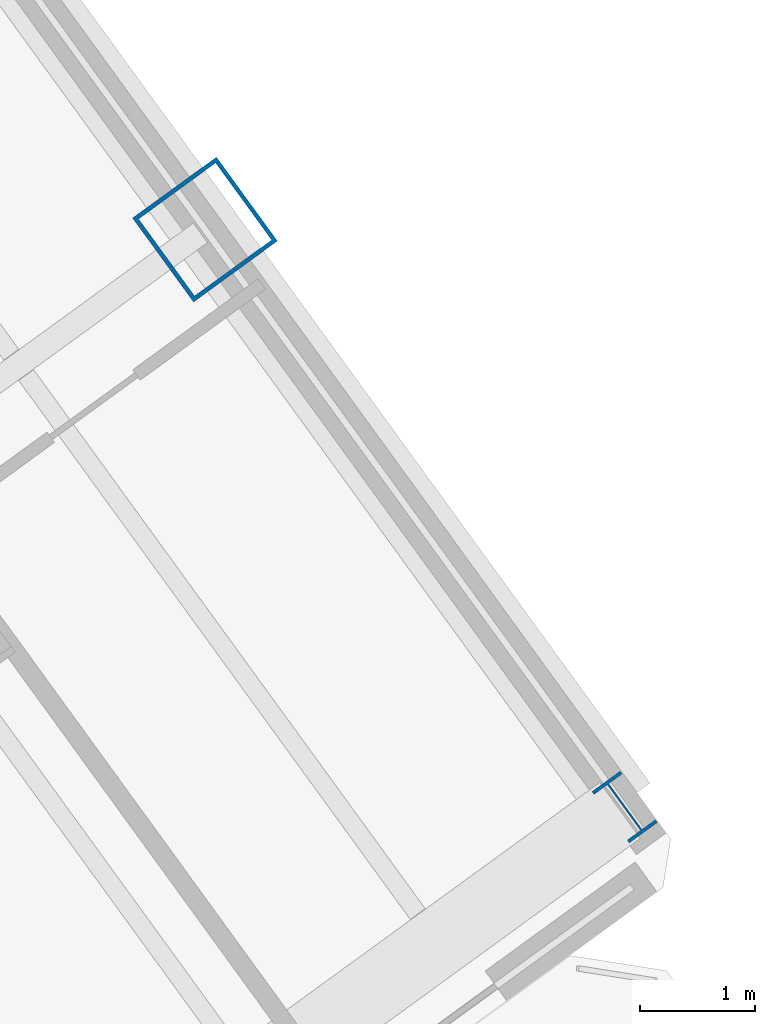
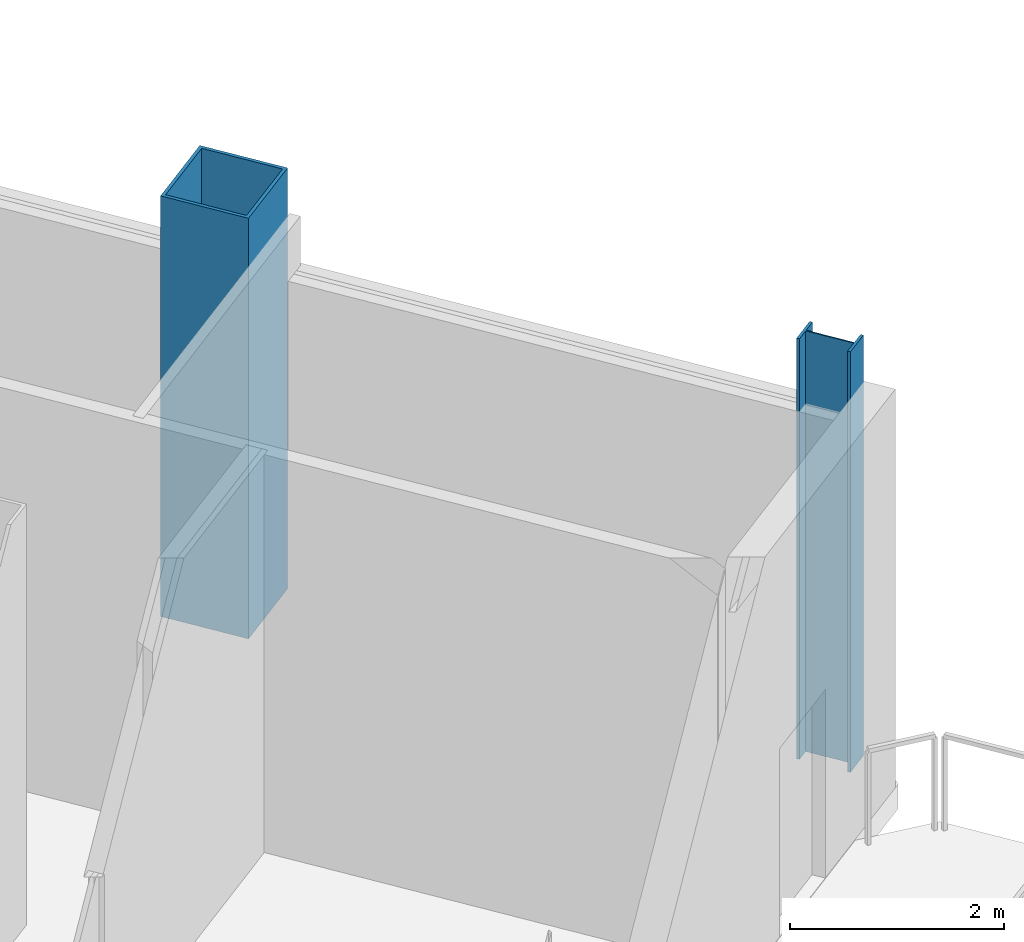
# One storey, part 4 of 22: 2 columns.
"""IFC4 building model written with IfcOpenShell, lengths in metres."""

from ifc_helpers import new_model, si_unit, direction, frame, origin, origin_2d, place, context, subcontext, project, spatial, hollow_rectangle, i_section, extrude, source, transform, mapped, material, material_profile, profile_set, type_object, element, save


model = new_model("IFC4")

# Units and contexts
model_context = context("Model", 3, precision=1e-05, world=origin(), true_north=direction((0.0, 1.0)))
body_context = subcontext(model_context, "Body", "Model", "MODEL_VIEW")
ifc_project = project(units=[si_unit("LENGTHUNIT", "METRE"), si_unit("AREAUNIT", "SQUARE_METRE"), si_unit("VOLUMEUNIT", "CUBIC_METRE"), si_unit("PLANEANGLEUNIT", "RADIAN"), si_unit("MASSUNIT", "GRAM", prefix="KILO")], contexts=[model_context])

# Site, building, storey
site_placement = place(None, origin())
site = spatial("IfcSite", under=ifc_project, at=site_placement, CompositionType="ELEMENT")
building_placement = place(site_placement, origin())
building = spatial("IfcBuilding", under=site, at=building_placement, Name="Tlacorven Tower", CompositionType="ELEMENT")
storey_placement = place(building_placement, frame((0.0, 0.0, 127.800048828125)))
storey = spatial("IfcBuildingStorey", under=building, at=storey_placement, Name="L32", CompositionType="ELEMENT", Elevation=127.800048828125)

# Columns
ifc_material = material(Name="Steel S460M", Category="steel")
ifc_material_profile_1 = material_profile(ifc_material, hollow_rectangle(XDim=0.89990234375, YDim=0.89990234375, WallThickness=0.035888671875, at=origin_2d()), Name="BOX 900X900X36")
ifc_profile_set_1 = profile_set([ifc_material_profile_1], Name="Steel S460M")
column_type_1 = type_object("IfcColumnType", Name="COL-TWR-S2", PredefinedType="COLUMN", material=ifc_profile_set_1)
shared_shape_1 = source(origin(), body_context, "Body", "SweptSolid", [
    extrude(hollow_rectangle(XDim=0.89990234375, YDim=0.89990234375, WallThickness=0.035888671875, at=origin_2d()), origin(), (0.0, 0.0, 1.0), 4.800048828125),
])
column_1_placement = place(storey_placement, frame((67.267822265625, 23.353515625, 0.0), z_axis=(0.0, 0.0, 1.0), x_axis=(0.809016994375, 0.587785252292, 0.0)))
element("IfcColumn", 1, at=column_1_placement, inside=storey, type_object=column_type_1, Name="L32 column COL-L32-E4-2", PredefinedType="COLUMN", context=body_context, shape_type="MappedRepresentation", body=[
    mapped(shared_shape_1, transform((0.0, 0.0, 0.0), scale=1.0)),
])
ifc_material_profile_2 = material_profile(ifc_material, i_section(OverallWidth=0.300048828125, OverallDepth=0.550048828125, WebThickness=0.014892578125, FlangeThickness=0.029052734375, at=origin_2d()), Name="HEB 550")
ifc_profile_set_2 = profile_set([ifc_material_profile_2], Name="Steel S460M")
column_type_2 = type_object("IfcColumnType", Name="COL-TWR-P2", PredefinedType="COLUMN", material=ifc_profile_set_2)
shared_shape_2 = source(origin(), body_context, "Body", "SweptSolid", [
    extrude(i_section(OverallWidth=0.300048828125, OverallDepth=0.550048828125, WebThickness=0.014892578125, FlangeThickness=0.029052734375, at=origin_2d()), origin(), (0.0, 0.0, 1.0), 4.800048828125),
])
column_2_placement = place(storey_placement, frame((70.911865234375, 18.337646484375, 0.0), z_axis=(0.0, 0.0, 1.0), x_axis=(0.809016994375, 0.587785252292, 0.0)))
element("IfcColumn", 2, at=column_2_placement, inside=storey, type_object=column_type_2, Name="L32 column COL-L32-E4-1", PredefinedType="COLUMN", context=body_context, shape_type="MappedRepresentation", body=[
    mapped(shared_shape_2, transform((0.0, 0.0, 0.0), scale=1.0)),
])

save(model, "model.ifc")
